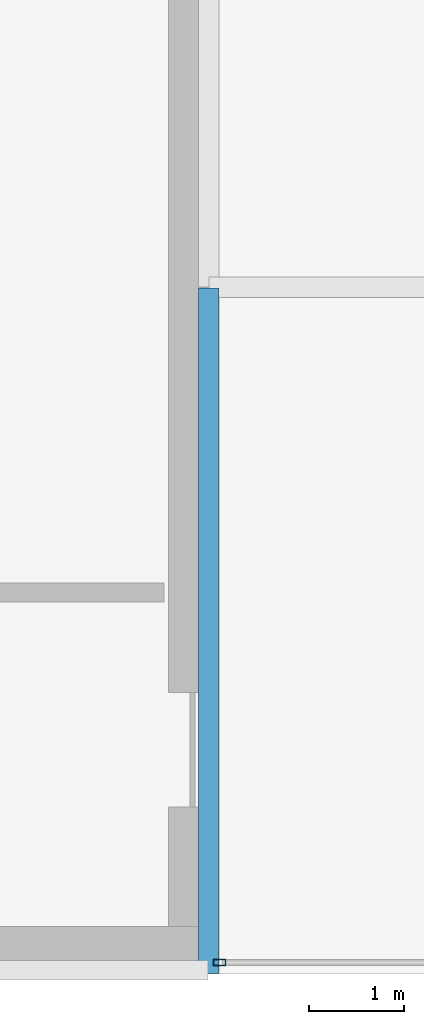
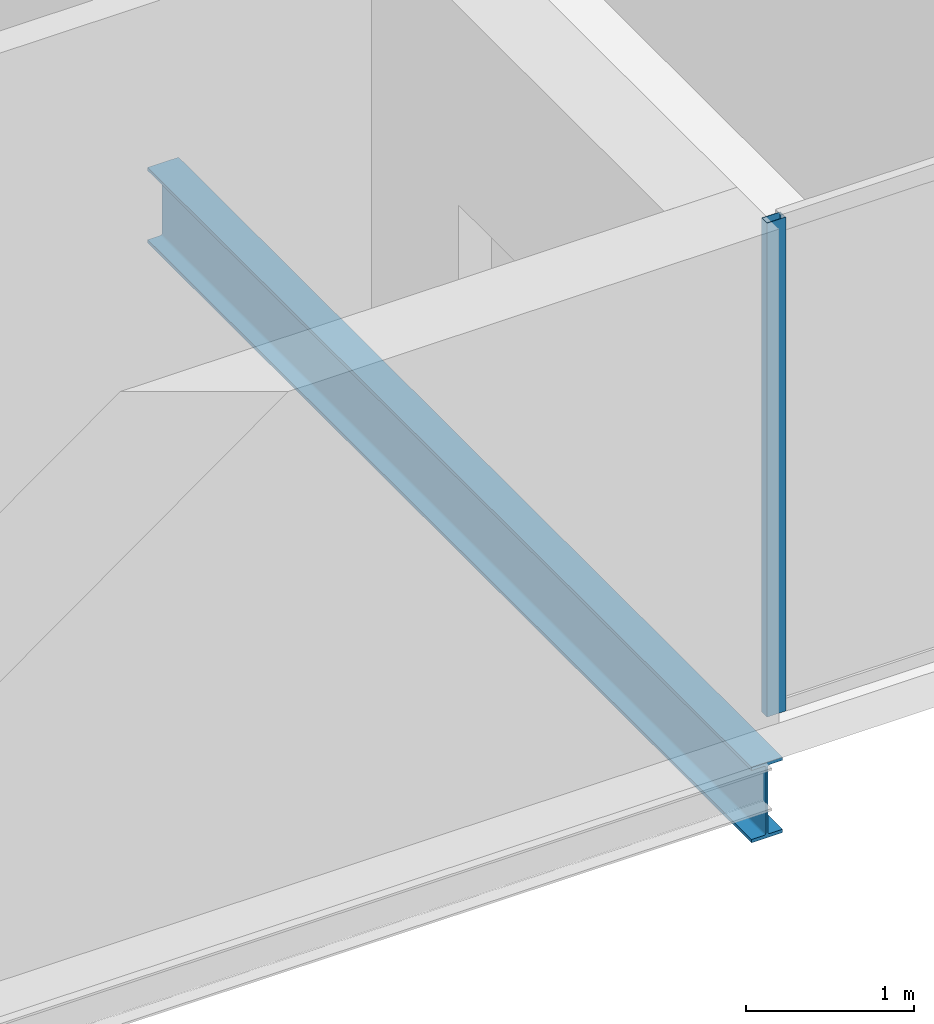
# One storey, part 2 of 16: 1 beam, 1 member, 1 element without a shape of its own.
"""IFC4 building model written with IfcOpenShell, lengths in metres."""

from ifc_helpers import new_model, si_unit, direction, frame, origin, origin_2d, place, context, subcontext, project, spatial, hollow_rectangle, i_section, extrude, material, material_profile, profile_set, type_object, element, aggregate, save


model = new_model("IFC4")

# Units and contexts
model_context = context("Model", 3, precision=1e-05, world=origin(), true_north=direction((0.0, 1.0)))
body_context = subcontext(model_context, "Body", "Model", "MODEL_VIEW")
ifc_project = project(units=[si_unit("LENGTHUNIT", "METRE"), si_unit("AREAUNIT", "SQUARE_METRE"), si_unit("VOLUMEUNIT", "CUBIC_METRE"), si_unit("PLANEANGLEUNIT", "RADIAN"), si_unit("MASSUNIT", "GRAM", prefix="KILO")], contexts=[model_context])

# Site, building, storey
site_placement = place(None, origin())
site = spatial("IfcSite", under=ifc_project, at=site_placement, CompositionType="ELEMENT")
building_placement = place(site_placement, origin())
building = spatial("IfcBuilding", under=site, at=building_placement, Name="Cobrela Telecom Tower", CompositionType="ELEMENT")
storey_placement = place(building_placement, frame((0.0, 0.0, 293.64990234375)))
storey = spatial("IfcBuildingStorey", under=building, at=storey_placement, Name="L77", CompositionType="ELEMENT", Elevation=293.64990234375)

# Beam
ifc_material_1 = material(Name="Steel ASTM A992 Grade 50", Category="steel")
ifc_material_profile_1 = material_profile(ifc_material_1, i_section(OverallWidth=0.212890625, OverallDepth=0.549072265625, WebThickness=0.0146484375, FlangeThickness=0.023681640625, FilletRadius=0.013916015625, at=origin_2d()), Name="W21X93")
ifc_profile_set_1 = profile_set([ifc_material_profile_1], Name="Steel ASTM A992 Grade 50")
beam_type = type_object("IfcBeamType", Name="BM-GIRD-08", PredefinedType="USERDEFINED", material=ifc_profile_set_1)
beam_placement = place(storey_placement, frame((14.320068359375, 7.205078125, -0.534423828125), z_axis=(0.0, 1.0, 0.0), x_axis=(-1.0, 0.0, 0.0)))
element("IfcBeam", 1, at=beam_placement, inside=storey, type_object=beam_type, Name="L77 Primary Girder Y11", ObjectType="GIRDER", PredefinedType="USERDEFINED", context=body_context, shape_type="SweptSolid", body=[
    extrude(i_section(OverallWidth=0.212890625, OverallDepth=0.549072265625, WebThickness=0.0146484375, FlangeThickness=0.023681640625, FilletRadius=0.013916015625, at=origin_2d()), origin(), (0.0, 0.0, 1.0), 7.18994140625),
])

# Curtain wall, member
ifc_material_2 = material(Name="Anodized Bronze Aluminium 6063-T6", Category="aluminium")
curtain_wall_type = type_object("IfcCurtainWallType", Name="CW-SYS-DRUM", PredefinedType="USERDEFINED", material=ifc_material_2)
curtain_wall_placement = place(storey_placement, origin())
curtain_wall = element("IfcCurtainWall", 2, at=curtain_wall_placement, inside=storey, type_object=curtain_wall_type, Name="L77 Unitised Bronze Curtain Wall 11", ObjectType="UNITISED CURTAIN WALL", PredefinedType="USERDEFINED")
ifc_material_profile_2 = material_profile(ifc_material_2, hollow_rectangle(XDim=0.06494140625, YDim=0.1298828125, WallThickness=0.00390625, at=origin_2d()), Name="ALU 65x130x4")
ifc_profile_set_2 = profile_set([ifc_material_profile_2], Name="Anodized Bronze Aluminium 6063-T6")
member_type = type_object("IfcMemberType", Name="CW-SYS-DRUM-MUL", PredefinedType="MULLION", material=ifc_profile_set_2)
member_placement = place(storey_placement, frame((14.4326171875, 7.320068359375, 0.0), z_axis=(0.0, 0.0, 1.0), x_axis=(0.0, -1.0, 0.0)))
member = element("IfcMember", 3, at=member_placement, type_object=member_type, Name="CW-DRUM mullion 3", PredefinedType="MULLION", context=body_context, shape_type="SweptSolid", body=[
    extrude(hollow_rectangle(XDim=0.06494140625, YDim=0.1298828125, WallThickness=0.00390625, at=origin_2d()), origin(), (0.0, 0.0, 1.0), 3.590087890625),
])
aggregate(curtain_wall, [member])

save(model, "model.ifc")
